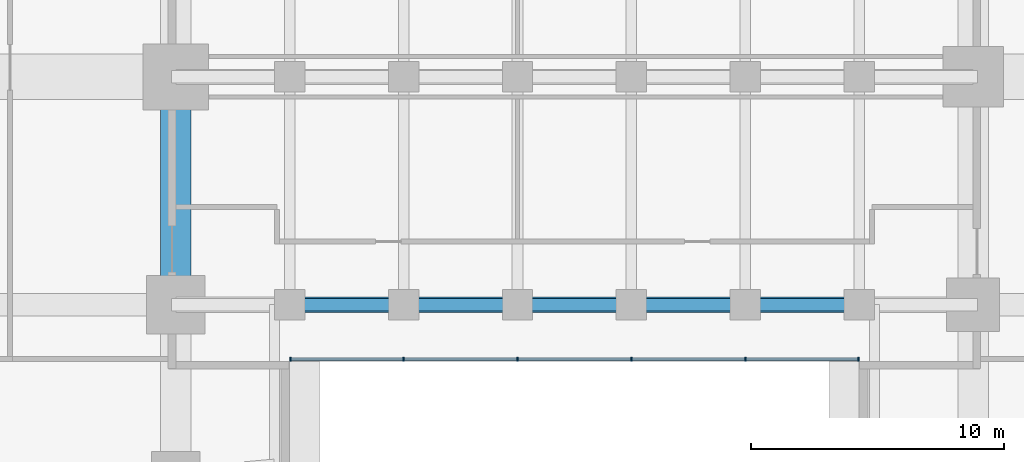
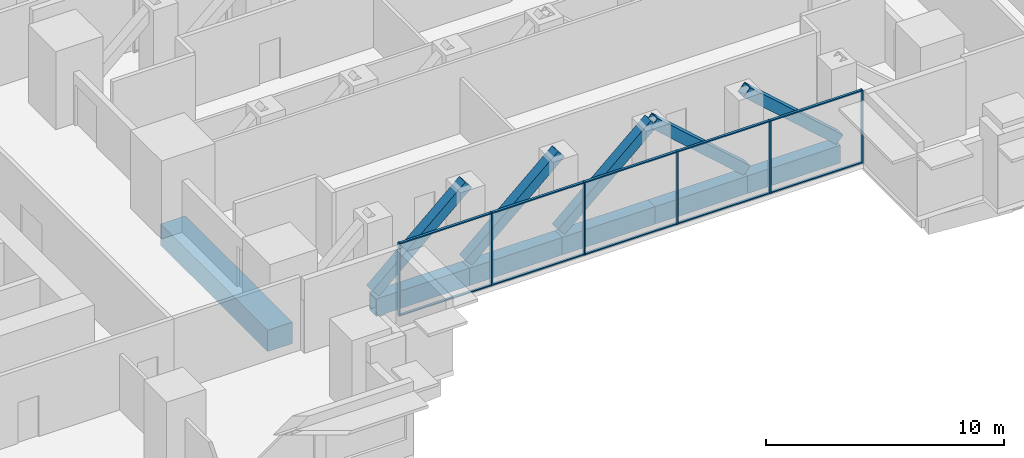
# One storey, part 2 of 16: 21 members, 6 beams, 1 element without a shape of its own.
"""IFC4 building model written with IfcOpenShell, lengths in metres."""

from ifc_helpers import new_model, si_unit, direction, frame, origin, origin_2d, place, context, subcontext, project, spatial, rectangle, hollow_rectangle, extrude, material, layer, layer_set, material_profile, profile_set, type_object, element, aggregate, save


model = new_model("IFC4")

# Units and contexts
model_context = context("Model", 3, precision=1e-05, world=origin(), true_north=direction((0.0, 1.0)))
body_context = subcontext(model_context, "Body", "Model", "MODEL_VIEW")
ifc_project = project(units=[si_unit("LENGTHUNIT", "METRE"), si_unit("AREAUNIT", "SQUARE_METRE"), si_unit("VOLUMEUNIT", "CUBIC_METRE"), si_unit("PLANEANGLEUNIT", "RADIAN"), si_unit("MASSUNIT", "GRAM", prefix="KILO")], contexts=[model_context])

# Site, building, storey
site_placement = place(None, origin())
site = spatial("IfcSite", under=ifc_project, at=site_placement, CompositionType="ELEMENT")
building_placement = place(site_placement, origin())
building = spatial("IfcBuilding", under=site, at=building_placement, Name="Namib Vertical Campus", CompositionType="ELEMENT")
storey_placement = place(building_placement, frame((0.0, 0.0, 117.0)))
storey = spatial("IfcBuildingStorey", under=building, at=storey_placement, Name="L27", CompositionType="ELEMENT", Elevation=117.0)

# Members
ifc_material_1 = material(Name="Steel S355JR", Category="steel")
ifc_material_profile_1 = material_profile(ifc_material_1, hollow_rectangle(XDim=0.5, YDim=0.5, WallThickness=0.031982421875, at=origin_2d()))
ifc_profile_set_1 = profile_set([ifc_material_profile_1], Name="Steel S355JR")
member_type_1 = type_object("IfcMemberType", Name="Bridge end brace WB 500x500x32", PredefinedType="BRACE", material=ifc_profile_set_1)
for number, where, z_axis, x_axis, name in (
    (1, (40.5, 11.25, 0.0), (0.747409318684, 0.0, 0.66436383883), (0.0, 1.0, 0.0), "Bridge brace BX1 L27 T1 bay 2"),
    (2, (45.0, 11.25, 0.0), (0.747409318684, 0.0, 0.66436383883), (0.0, 1.0, 0.0), "Bridge brace BX1 L27 T1 bay 3"),
    (3, (49.5, 11.25, 0.0), (0.747409318684, 0.0, 0.66436383883), (0.0, 1.0, 0.0), "Bridge brace BX1 L27 T1 bay 4"),
    (4, (58.5, 11.25, 0.0), (-0.747409318684, 0.0, 0.66436383883), (0.0, -1.0, 0.0), "Bridge brace BX1 L27 T1 bay 5"),
    (5, (63.0, 11.25, 0.0), (-0.747409318684, 0.0, 0.66436383883), (0.0, -1.0, 0.0), "Bridge brace BX1 L27 T1 bay 6"),
):
    element("IfcMember", number, at=place(storey_placement, frame(where, z_axis=z_axis, x_axis=x_axis)), inside=storey, type_object=member_type_1, Name=name, PredefinedType="BRACE", context=body_context, shape_type="SweptSolid", body=[
        extrude(hollow_rectangle(XDim=0.5, YDim=0.5, WallThickness=0.031982421875, at=origin_2d()), origin(), (0.0, 0.0, 1.0), 6.020751953125),
    ])

# Beams
ifc_material_2 = material(Name="Steel S355JR", Category="steel")
ifc_material_profile_2 = material_profile(ifc_material_2, hollow_rectangle(XDim=0.60009765625, YDim=0.89990234375, WallThickness=0.050048828125, at=origin_2d()))
ifc_profile_set_2 = profile_set([ifc_material_profile_2], Name="Steel S355JR")
beam_type_1 = type_object("IfcBeamType", Name="Bridge girder WB 900x600x50", PredefinedType="BEAM", material=ifc_profile_set_2)
for number, where, z_axis, x_axis, name in (
    (6, (40.5, 11.25, -0.699951171875), (1.0, 0.0, 0.0), (0.0, 1.0, 0.0), "Bridge girder BG1 L27"),
    (7, (45.0, 11.25, -0.699951171875), (1.0, 0.0, 0.0), (0.0, 1.0, 0.0), "Bridge girder BG1 L27"),
    (8, (49.5, 11.25, -0.699951171875), (1.0, 0.0, 0.0), (0.0, 1.0, 0.0), "Bridge girder BG1 L27"),
    (9, (54.0, 11.25, -0.699951171875), (1.0, 0.0, 0.0), (0.0, 1.0, 0.0), "Bridge girder BG1 L27"),
    (10, (58.5, 11.25, -0.699951171875), (1.0, 0.0, 0.0), (0.0, 1.0, 0.0), "Bridge girder BG1 L27"),
):
    element("IfcBeam", number, at=place(storey_placement, frame(where, z_axis=z_axis, x_axis=x_axis)), inside=storey, type_object=beam_type_1, Name=name, PredefinedType="BEAM", context=body_context, shape_type="SweptSolid", body=[
        extrude(hollow_rectangle(XDim=0.60009765625, YDim=0.89990234375, WallThickness=0.050048828125, at=origin_2d()), origin(), (0.0, 0.0, 1.0), 4.5),
    ])

# Curtain wall, members
ifc_material_3 = material(Name="Black aluminium curtain wall", Category="aluminium")
ifc_layer = layer(ifc_material_3, 0.199951171875)
ifc_layer_set = layer_set([ifc_layer], Name="Bridge curtain wall CW-BR")
curtain_wall_type = type_object("IfcCurtainWallType", Name="Bridge curtain wall CW-BR", PredefinedType="USERDEFINED", material=ifc_layer_set)
curtain_wall_placement = place(storey_placement, origin())
curtain_wall = element("IfcCurtainWall", 11, at=curtain_wall_placement, inside=storey, type_object=curtain_wall_type, Name="Curtain wall CW-BR L27 S", ObjectType="CURTAIN WALL", PredefinedType="USERDEFINED")
ifc_material_4 = material(Name="Black anodised aluminium", Category="aluminium")
ifc_material_profile_3 = material_profile(ifc_material_4, rectangle(XDim=0.06005859375, YDim=0.159912109375, at=origin_2d()))
ifc_profile_set_3 = profile_set([ifc_material_profile_3], Name="Black anodised aluminium")
member_type_2 = type_object("IfcMemberType", Name="Curtain wall mullion 60x160", PredefinedType="MULLION", material=ifc_profile_set_3)
member_1_placement = place(storey_placement, frame((40.530029296875, 9.10009765625, 0.0), z_axis=(0.0, 0.0, 1.0), x_axis=(1.0, 0.0, 0.0)))
member_1 = element("IfcMember", 12, at=member_1_placement, type_object=member_type_2, Name="CW-BR mullion 1", PredefinedType="MULLION", context=body_context, shape_type="SweptSolid", body=[
    extrude(rectangle(XDim=0.06005859375, YDim=0.159912109375, at=origin_2d()), origin(), (0.0, 0.0, 1.0), 3.75),
])
member_2_placement = place(storey_placement, frame((45.0, 9.10009765625, 0.0), z_axis=(0.0, 0.0, 1.0), x_axis=(1.0, 0.0, 0.0)))
member_2 = element("IfcMember", 13, at=member_2_placement, type_object=member_type_2, Name="CW-BR mullion 2", PredefinedType="MULLION", context=body_context, shape_type="SweptSolid", body=[
    extrude(rectangle(XDim=0.06005859375, YDim=0.159912109375, at=origin_2d()), origin(), (0.0, 0.0, 1.0), 3.75),
])
member_3_placement = place(storey_placement, frame((49.5, 9.10009765625, 0.0), z_axis=(0.0, 0.0, 1.0), x_axis=(1.0, 0.0, 0.0)))
member_3 = element("IfcMember", 14, at=member_3_placement, type_object=member_type_2, Name="CW-BR mullion 3", PredefinedType="MULLION", context=body_context, shape_type="SweptSolid", body=[
    extrude(rectangle(XDim=0.06005859375, YDim=0.159912109375, at=origin_2d()), origin(), (0.0, 0.0, 1.0), 3.75),
])
member_4_placement = place(storey_placement, frame((54.0, 9.10009765625, 0.0), z_axis=(0.0, 0.0, 1.0), x_axis=(1.0, 0.0, 0.0)))
member_4 = element("IfcMember", 15, at=member_4_placement, type_object=member_type_2, Name="CW-BR mullion 4", PredefinedType="MULLION", context=body_context, shape_type="SweptSolid", body=[
    extrude(rectangle(XDim=0.06005859375, YDim=0.159912109375, at=origin_2d()), origin(), (0.0, 0.0, 1.0), 3.75),
])
member_5_placement = place(storey_placement, frame((58.5, 9.10009765625, 0.0), z_axis=(0.0, 0.0, 1.0), x_axis=(1.0, 0.0, 0.0)))
member_5 = element("IfcMember", 16, at=member_5_placement, type_object=member_type_2, Name="CW-BR mullion 5", PredefinedType="MULLION", context=body_context, shape_type="SweptSolid", body=[
    extrude(rectangle(XDim=0.06005859375, YDim=0.159912109375, at=origin_2d()), origin(), (0.0, 0.0, 1.0), 3.75),
])
member_6_placement = place(storey_placement, frame((62.969970703125, 9.10009765625, 0.0), z_axis=(0.0, 0.0, 1.0), x_axis=(1.0, 0.0, 0.0)))
member_6 = element("IfcMember", 17, at=member_6_placement, type_object=member_type_2, Name="CW-BR mullion 6", PredefinedType="MULLION", context=body_context, shape_type="SweptSolid", body=[
    extrude(rectangle(XDim=0.06005859375, YDim=0.159912109375, at=origin_2d()), origin(), (0.0, 0.0, 1.0), 3.75),
])
ifc_material_5 = material(Name="Black anodised aluminium", Category="aluminium")
ifc_material_profile_4 = material_profile(ifc_material_5, rectangle(XDim=0.06005859375, YDim=0.1201171875, at=origin_2d()))
ifc_profile_set_4 = profile_set([ifc_material_profile_4], Name="Black anodised aluminium")
member_type_3 = type_object("IfcMemberType", Name="Curtain wall transom 60x120", PredefinedType="USERDEFINED", material=ifc_profile_set_4)
member_7_placement = place(storey_placement, frame((40.56005859375, 9.10009765625, 0.030029296875), z_axis=(1.0, 0.0, 0.0), x_axis=(0.0, 0.0, 1.0)))
member_7 = element("IfcMember", 18, at=member_7_placement, type_object=member_type_3, Name="CW-BR transom 1.1", ObjectType="TRANSOM", PredefinedType="USERDEFINED", context=body_context, shape_type="SweptSolid", body=[
    extrude(rectangle(XDim=0.06005859375, YDim=0.1201171875, at=origin_2d()), origin(), (0.0, 0.0, 1.0), 4.409912109375),
])
member_8_placement = place(storey_placement, frame((40.56005859375, 9.10009765625, 3.719970703125), z_axis=(1.0, 0.0, 0.0), x_axis=(0.0, 0.0, 1.0)))
member_8 = element("IfcMember", 19, at=member_8_placement, type_object=member_type_3, Name="CW-BR transom 1.2", ObjectType="TRANSOM", PredefinedType="USERDEFINED", context=body_context, shape_type="SweptSolid", body=[
    extrude(rectangle(XDim=0.06005859375, YDim=0.1201171875, at=origin_2d()), origin(), (0.0, 0.0, 1.0), 4.409912109375),
])
member_9_placement = place(storey_placement, frame((45.030029296875, 9.10009765625, 0.030029296875), z_axis=(1.0, 0.0, 0.0), x_axis=(0.0, 0.0, 1.0)))
member_9 = element("IfcMember", 20, at=member_9_placement, type_object=member_type_3, Name="CW-BR transom 2.1", ObjectType="TRANSOM", PredefinedType="USERDEFINED", context=body_context, shape_type="SweptSolid", body=[
    extrude(rectangle(XDim=0.06005859375, YDim=0.1201171875, at=origin_2d()), origin(), (0.0, 0.0, 1.0), 4.43994140625),
])
member_10_placement = place(storey_placement, frame((45.030029296875, 9.10009765625, 3.719970703125), z_axis=(1.0, 0.0, 0.0), x_axis=(0.0, 0.0, 1.0)))
member_10 = element("IfcMember", 21, at=member_10_placement, type_object=member_type_3, Name="CW-BR transom 2.2", ObjectType="TRANSOM", PredefinedType="USERDEFINED", context=body_context, shape_type="SweptSolid", body=[
    extrude(rectangle(XDim=0.06005859375, YDim=0.1201171875, at=origin_2d()), origin(), (0.0, 0.0, 1.0), 4.43994140625),
])
member_11_placement = place(storey_placement, frame((49.530029296875, 9.10009765625, 0.030029296875), z_axis=(1.0, 0.0, 0.0), x_axis=(0.0, 0.0, 1.0)))
member_11 = element("IfcMember", 22, at=member_11_placement, type_object=member_type_3, Name="CW-BR transom 3.1", ObjectType="TRANSOM", PredefinedType="USERDEFINED", context=body_context, shape_type="SweptSolid", body=[
    extrude(rectangle(XDim=0.06005859375, YDim=0.1201171875, at=origin_2d()), origin(), (0.0, 0.0, 1.0), 4.43994140625),
])
member_12_placement = place(storey_placement, frame((49.530029296875, 9.10009765625, 3.719970703125), z_axis=(1.0, 0.0, 0.0), x_axis=(0.0, 0.0, 1.0)))
member_12 = element("IfcMember", 23, at=member_12_placement, type_object=member_type_3, Name="CW-BR transom 3.2", ObjectType="TRANSOM", PredefinedType="USERDEFINED", context=body_context, shape_type="SweptSolid", body=[
    extrude(rectangle(XDim=0.06005859375, YDim=0.1201171875, at=origin_2d()), origin(), (0.0, 0.0, 1.0), 4.43994140625),
])
member_13_placement = place(storey_placement, frame((54.030029296875, 9.10009765625, 0.030029296875), z_axis=(1.0, 0.0, 0.0), x_axis=(0.0, 0.0, 1.0)))
member_13 = element("IfcMember", 24, at=member_13_placement, type_object=member_type_3, Name="CW-BR transom 4.1", ObjectType="TRANSOM", PredefinedType="USERDEFINED", context=body_context, shape_type="SweptSolid", body=[
    extrude(rectangle(XDim=0.06005859375, YDim=0.1201171875, at=origin_2d()), origin(), (0.0, 0.0, 1.0), 4.43994140625),
])
member_14_placement = place(storey_placement, frame((54.030029296875, 9.10009765625, 3.719970703125), z_axis=(1.0, 0.0, 0.0), x_axis=(0.0, 0.0, 1.0)))
member_14 = element("IfcMember", 25, at=member_14_placement, type_object=member_type_3, Name="CW-BR transom 4.2", ObjectType="TRANSOM", PredefinedType="USERDEFINED", context=body_context, shape_type="SweptSolid", body=[
    extrude(rectangle(XDim=0.06005859375, YDim=0.1201171875, at=origin_2d()), origin(), (0.0, 0.0, 1.0), 4.43994140625),
])
member_15_placement = place(storey_placement, frame((58.530029296875, 9.10009765625, 0.030029296875), z_axis=(1.0, 0.0, 0.0), x_axis=(0.0, 0.0, 1.0)))
member_15 = element("IfcMember", 26, at=member_15_placement, type_object=member_type_3, Name="CW-BR transom 5.1", ObjectType="TRANSOM", PredefinedType="USERDEFINED", context=body_context, shape_type="SweptSolid", body=[
    extrude(rectangle(XDim=0.06005859375, YDim=0.1201171875, at=origin_2d()), origin(), (0.0, 0.0, 1.0), 4.409912109375),
])
member_16_placement = place(storey_placement, frame((58.530029296875, 9.10009765625, 3.719970703125), z_axis=(1.0, 0.0, 0.0), x_axis=(0.0, 0.0, 1.0)))
member_16 = element("IfcMember", 27, at=member_16_placement, type_object=member_type_3, Name="CW-BR transom 5.2", ObjectType="TRANSOM", PredefinedType="USERDEFINED", context=body_context, shape_type="SweptSolid", body=[
    extrude(rectangle(XDim=0.06005859375, YDim=0.1201171875, at=origin_2d()), origin(), (0.0, 0.0, 1.0), 4.409912109375),
])
aggregate(curtain_wall, [member_1, member_2, member_3, member_4, member_5, member_6, member_7, member_8, member_9, member_10, member_11, member_12, member_13, member_14, member_15, member_16])

# Beam
ifc_material_6 = material(Name="Concrete C40/50", Category="concrete")
ifc_material_profile_5 = material_profile(ifc_material_6, rectangle(XDim=1.199951171875, YDim=1.10009765625, at=origin_2d()))
ifc_profile_set_5 = profile_set([ifc_material_profile_5], Name="Concrete C40/50")
beam_type_2 = type_object("IfcBeamType", Name="Face ring beam RC 1200x1100", PredefinedType="BEAM", material=ifc_profile_set_5)
beam_placement = place(storey_placement, frame((36.0, 11.25, -0.800048828125), z_axis=(0.0, 1.0, 0.0), x_axis=(-1.0, 0.0, 0.0)))
element("IfcBeam", 28, at=beam_placement, inside=storey, type_object=beam_type_2, Name="Beam B11 L27", PredefinedType="BEAM", context=body_context, shape_type="SweptSolid", body=[
    extrude(rectangle(XDim=1.199951171875, YDim=1.10009765625, at=origin_2d()), origin(), (0.0, 0.0, 1.0), 9.0),
])

save(model, "model.ifc")
